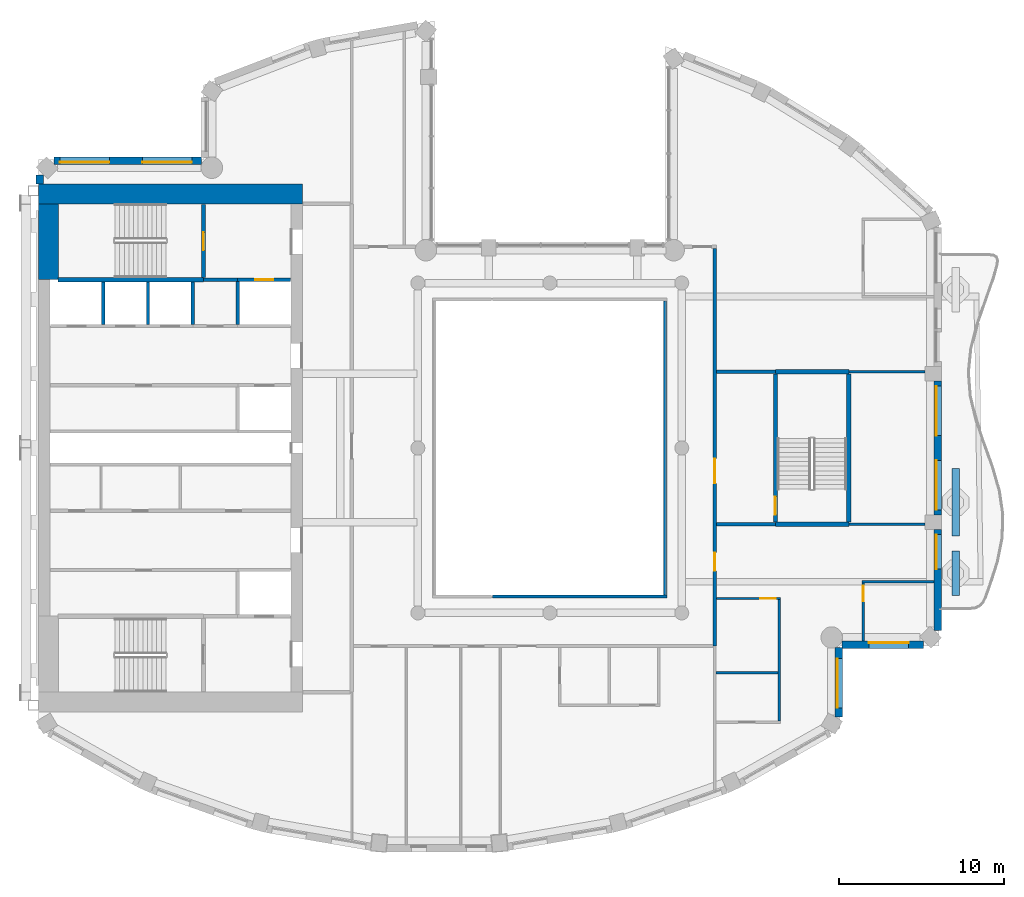
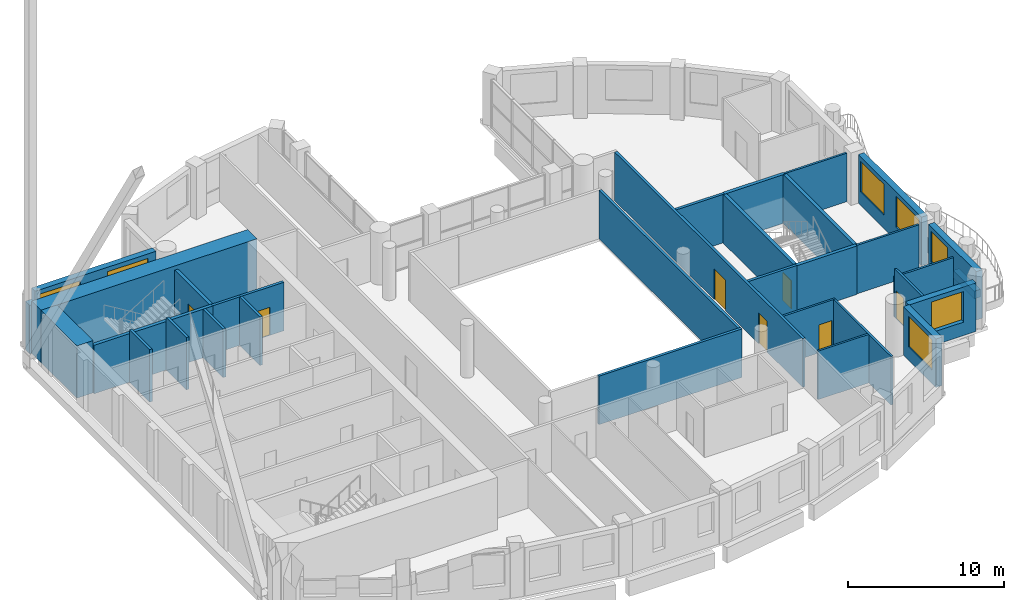
# One storey, part 7 of 18: 34 walls, 7 doors, 7 windows, 14 openings.
"""IFC4 building model written with IfcOpenShell, lengths in metres."""

from ifc_helpers import new_model, si_unit, direction, frame, frame_2d, origin, place, context, subcontext, project, spatial, rectangle, extrude, material, layer, layer_set, type_object, element, fill, save


model = new_model("IFC4")

# Units and contexts
model_context = context("Model", 3, precision=1e-05, world=origin(), true_north=direction((0.0, 1.0)))
body_context = subcontext(model_context, "Body", "Model", "MODEL_VIEW")
ifc_project = project(units=[si_unit("LENGTHUNIT", "METRE"), si_unit("AREAUNIT", "SQUARE_METRE"), si_unit("VOLUMEUNIT", "CUBIC_METRE"), si_unit("PLANEANGLEUNIT", "RADIAN"), si_unit("MASSUNIT", "GRAM", prefix="KILO")], contexts=[model_context])

# Site, building, storey
site_placement = place(None, origin())
site = spatial("IfcSite", under=ifc_project, at=site_placement, CompositionType="ELEMENT")
building_placement = place(site_placement, origin())
building = spatial("IfcBuilding", under=site, at=building_placement, Name="Cypress Arch Tower", CompositionType="ELEMENT")
storey_placement = place(building_placement, frame((0.0, 0.0, 288.5)))
storey = spatial("IfcBuildingStorey", under=building, at=storey_placement, Name="L65", CompositionType="ELEMENT", Elevation=288.5)

# Walls
ifc_material_1 = material(Name="Concrete C40/50, waterproofed", Category="concrete")
ifc_layer_1 = layer(ifc_material_1, 0.449951171875)
ifc_layer_set_1 = layer_set([ifc_layer_1], Name="Balcony planter wall PW450")
wall_type_1 = type_object("IfcWallType", Name="Balcony planter wall PW450", PredefinedType="SOLIDWALL", material=ifc_layer_set_1)
wall_1_placement = place(storey_placement, frame((25.60009765625, -8.949951171875, 0.0), z_axis=(0.0, 0.0, 1.0), x_axis=(0.0, 1.0, 0.0)))
element("IfcWall", 1, at=wall_1_placement, inside=storey, type_object=wall_type_1, Name="Balcony planter wall L65-C17.1", PredefinedType="SOLIDWALL", context=body_context, shape_type="SweptSolid", body=[
    extrude(rectangle(XDim=2.699951171875, YDim=0.449951171875, at=frame_2d((1.35009765625, 0.0))), origin(), (0.0, 0.0, 1.0), 0.60009765625),
])
wall_2_placement = place(storey_placement, frame((25.60009765625, -5.35009765625, 0.0), z_axis=(0.0, 0.0, 1.0), x_axis=(0.0, 1.0, 0.0)))
element("IfcWall", 2, at=wall_2_placement, inside=storey, type_object=wall_type_1, Name="Balcony planter wall L65-C17.2", PredefinedType="SOLIDWALL", context=body_context, shape_type="SweptSolid", body=[
    extrude(rectangle(XDim=4.10009765625, YDim=0.449951171875, at=frame_2d((2.050048828125, 0.0))), origin(), (0.0, 0.0, 1.0), 0.60009765625),
])

# Wall, openings, windows
ifc_material_2 = material(Name="Brick (red buff blend)", Category="masonry")
ifc_layer_2 = layer(ifc_material_2, 0.449951171875)
ifc_layer_set_2 = layer_set([ifc_layer_2], Name="Brick pier and spandrel wall BW450")
wall_type_2 = type_object("IfcWallType", Name="Brick pier and spandrel wall BW450", PredefinedType="SOLIDWALL", material=ifc_layer_set_2)
wall_3_placement = place(storey_placement, frame((-20.1015625, 17.425048828125, 0.0), z_axis=(0.0, 0.0, 1.0), x_axis=(-1.0, 0.0, 0.0)))
wall_3 = element("IfcWall", 3, at=wall_3_placement, inside=storey, type_object=wall_type_2, Name="Brick wall L65 C06.0", PredefinedType="SOLIDWALL", context=body_context, shape_type="SweptSolid", body=[
    extrude(rectangle(XDim=8.962158203125, YDim=0.449951171875, at=frame_2d((4.48095703125, 0.0))), origin(), (0.0, 0.0, 1.0), 3.800048828125),
])
opening_1_placement = place(wall_3_placement, frame((0.598388671875, 0.0, 1.050048828125)))
opening_1 = element("IfcOpeningElement", 4, at=opening_1_placement, cuts=wall_3, Name="Opening W300O", PredefinedType="OPENING", context=body_context, shape_type="SweptSolid", body=[
    extrude(rectangle(XDim=3.0, YDim=2.39990234375, at=frame_2d((1.5, 1.199951171875))), frame((0.0, 0.23486328125, 0.0), z_axis=(0.0, -1.0, 0.0), x_axis=(1.0, 0.0, 0.0)), (0.0, 0.0, 1.0), 0.469970703125),
])
opening_2_placement = place(wall_3_placement, frame((5.598388671875, 0.0, 1.050048828125)))
opening_2 = element("IfcOpeningElement", 5, at=opening_2_placement, cuts=wall_3, Name="Opening W300O", PredefinedType="OPENING", context=body_context, shape_type="SweptSolid", body=[
    extrude(rectangle(XDim=3.0, YDim=2.39990234375, at=frame_2d((1.5, 1.199951171875))), frame((0.0, 0.23486328125, 0.0), z_axis=(0.0, -1.0, 0.0), x_axis=(1.0, 0.0, 0.0)), (0.0, 0.0, 1.0), 0.469970703125),
])
ifc_material_3 = material(Name="Anodised aluminium, bronze finish, clear low-emissivity double glazing", Category="aluminium")
window_type_1 = type_object("IfcWindowType", Name="Window Office 3000x2400", PartitioningType="SINGLE_PANEL", PredefinedType="WINDOW", material=ifc_material_3)
window_1_placement = place(opening_1_placement, origin())
window_1 = element("IfcWindow", 6, at=window_1_placement, inside=storey, type_object=window_type_1, Name="Window L65 C06.0.1", OverallHeight=2.39990234375, OverallWidth=3.0, PartitioningType="SINGLE_PANEL", PredefinedType="WINDOW", context=body_context, shape_type="SweptSolid", body=[
    extrude(rectangle(XDim=3.0, YDim=2.39990234375, at=frame_2d((1.5, 1.199951171875))), frame((0.0, 0.135009765625, 0.0), z_axis=(0.0, -1.0, 0.0), x_axis=(1.0, 0.0, 0.0)), (0.0, 0.0, 1.0), 0.06005859375),
])
fill(opening_1, window_1)
window_2_placement = place(opening_2_placement, origin())
window_2 = element("IfcWindow", 7, at=window_2_placement, inside=storey, type_object=window_type_1, Name="Window L65 C06.0.2", OverallHeight=2.39990234375, OverallWidth=3.0, PartitioningType="SINGLE_PANEL", PredefinedType="WINDOW", context=body_context, shape_type="SweptSolid", body=[
    extrude(rectangle(XDim=3.0, YDim=2.39990234375, at=frame_2d((1.5, 1.199951171875))), frame((0.0, 0.135009765625, 0.0), z_axis=(0.0, -1.0, 0.0), x_axis=(1.0, 0.0, 0.0)), (0.0, 0.0, 1.0), 0.06005859375),
])
fill(opening_2, window_2)

# Wall
wall_4_placement = place(storey_placement, frame((-29.925048828125, 16.563720703125, 0.0), z_axis=(0.0, 0.0, 1.0), x_axis=(0.0, -1.0, 0.0)))
element("IfcWall", 8, at=wall_4_placement, inside=storey, type_object=wall_type_2, Name="Brick wall L65 C07.0", PredefinedType="SOLIDWALL", context=body_context, shape_type="SweptSolid", body=[
    extrude(rectangle(XDim=0.563720703125, YDim=0.449951171875, at=frame_2d((0.28173828125, 0.0))), origin(), (0.0, 0.0, 1.0), 3.800048828125),
])

# Wall, opening, window
wall_5_placement = place(storey_placement, frame((18.52490234375, -16.3037109375, 0.0), z_axis=(0.0, 0.0, 1.0), x_axis=(0.0, 1.0, 0.0)))
wall_5 = element("IfcWall", 9, at=wall_5_placement, inside=storey, type_object=wall_type_2, Name="Brick wall L65 C15.0", PredefinedType="SOLIDWALL", context=body_context, shape_type="SweptSolid", body=[
    extrude(rectangle(XDim=4.2021484375, YDim=0.449951171875, at=frame_2d((2.10107421875, 0.0))), origin(), (0.0, 0.0, 1.0), 3.800048828125),
])
opening_3_placement = place(wall_5_placement, frame((0.541259765625, 0.0, 1.050048828125)))
opening_3 = element("IfcOpeningElement", 10, at=opening_3_placement, cuts=wall_5, Name="Opening W300O", PredefinedType="OPENING", context=body_context, shape_type="SweptSolid", body=[
    extrude(rectangle(XDim=3.0, YDim=2.39990234375, at=frame_2d((1.5, 1.199951171875))), frame((0.0, 0.23486328125, 0.0), z_axis=(0.0, -1.0, 0.0), x_axis=(1.0, 0.0, 0.0)), (0.0, 0.0, 1.0), 0.469970703125),
])
window_3_placement = place(opening_3_placement, origin())
window_3 = element("IfcWindow", 11, at=window_3_placement, inside=storey, type_object=window_type_1, Name="Window L65 C15.0.1", OverallHeight=2.39990234375, OverallWidth=3.0, PartitioningType="SINGLE_PANEL", PredefinedType="WINDOW", context=body_context, shape_type="SweptSolid", body=[
    extrude(rectangle(XDim=3.0, YDim=2.39990234375, at=frame_2d((1.5, 1.199951171875))), frame((0.0, 0.135009765625, 0.0), z_axis=(0.0, -1.0, 0.0), x_axis=(1.0, 0.0, 0.0)), (0.0, 0.0, 1.0), 0.06005859375),
])
fill(opening_3, window_3)

wall_6_placement = place(storey_placement, frame((18.701416015625, -11.925048828125, 0.0), z_axis=(0.0, 0.0, 1.0), x_axis=(1.0, 0.0, 0.0)))
wall_6 = element("IfcWall", 12, at=wall_6_placement, inside=storey, type_object=wall_type_2, Name="Brick wall L65 C16.0", PredefinedType="SOLIDWALL", context=body_context, shape_type="SweptSolid", body=[
    extrude(rectangle(XDim=4.962158203125, YDim=0.449951171875, at=frame_2d((2.48095703125, 0.0))), origin(), (0.0, 0.0, 1.0), 3.800048828125),
])
opening_4_placement = place(wall_6_placement, frame((1.6484375, 0.0, 1.050048828125)))
opening_4 = element("IfcOpeningElement", 13, at=opening_4_placement, cuts=wall_6, Name="Opening W240O", PredefinedType="OPENING", context=body_context, shape_type="SweptSolid", body=[
    extrude(rectangle(XDim=2.39990234375, YDim=2.39990234375, at=frame_2d((1.199951171875, 1.199951171875))), frame((0.0, 0.23486328125, 0.0), z_axis=(0.0, -1.0, 0.0), x_axis=(1.0, 0.0, 0.0)), (0.0, 0.0, 1.0), 0.469970703125),
])
ifc_material_4 = material(Name="Anodised aluminium, bronze finish, clear low-emissivity double glazing", Category="aluminium")
window_type_2 = type_object("IfcWindowType", Name="Window Office 2400x2400", PartitioningType="SINGLE_PANEL", PredefinedType="WINDOW", material=ifc_material_4)
window_4_placement = place(opening_4_placement, origin())
window_4 = element("IfcWindow", 14, at=window_4_placement, inside=storey, type_object=window_type_2, Name="Window L65 C16.0.1", OverallHeight=2.39990234375, OverallWidth=2.39990234375, PartitioningType="SINGLE_PANEL", PredefinedType="WINDOW", context=body_context, shape_type="SweptSolid", body=[
    extrude(rectangle(XDim=2.39990234375, YDim=2.39990234375, at=frame_2d((1.199951171875, 1.199951171875))), frame((0.0, 0.135009765625, 0.0), z_axis=(0.0, -1.0, 0.0), x_axis=(1.0, 0.0, 0.0)), (0.0, 0.0, 1.0), 0.06005859375),
])
fill(opening_4, window_4)

wall_7_placement = place(storey_placement, frame((24.52490234375, -11.063720703125, 0.0), z_axis=(0.0, 0.0, 1.0), x_axis=(0.0, 1.0, 0.0)))
wall_7 = element("IfcWall", 15, at=wall_7_placement, inside=storey, type_object=wall_type_2, Name="Brick wall L65 C17.0", PredefinedType="SOLIDWALL", context=body_context, shape_type="SweptSolid", body=[
    extrude(rectangle(XDim=6.11376953125, YDim=0.449951171875, at=frame_2d((3.056884765625, 0.0))), origin(), (0.0, 0.0, 1.0), 3.800048828125),
])
opening_5_placement = place(wall_7_placement, frame((3.713623046875, 0.0, 1.050048828125)))
opening_5 = element("IfcOpeningElement", 16, at=opening_5_placement, cuts=wall_7, Name="Opening W210OD", PredefinedType="OPENING", context=body_context, shape_type="SweptSolid", body=[
    extrude(rectangle(XDim=2.10009765625, YDim=2.39990234375, at=frame_2d((1.050048828125, 1.199951171875))), frame((0.0, 0.23486328125, 0.0), z_axis=(0.0, -1.0, 0.0), x_axis=(1.0, 0.0, 0.0)), (0.0, 0.0, 1.0), 0.469970703125),
])
ifc_material_5 = material(Name="Anodised aluminium, bronze finish, laminated low-emissivity double glazing, large-missile impact rated", Category="aluminium")
window_type_3 = type_object("IfcWindowType", Name="Window Office 2100x2400 debris-rated", PartitioningType="SINGLE_PANEL", PredefinedType="WINDOW", material=ifc_material_5)
window_5_placement = place(opening_5_placement, origin())
window_5 = element("IfcWindow", 17, at=window_5_placement, inside=storey, type_object=window_type_3, Name="Window L65 C17.0.2", OverallHeight=2.39990234375, OverallWidth=2.10009765625, PartitioningType="SINGLE_PANEL", PredefinedType="WINDOW", context=body_context, shape_type="SweptSolid", body=[
    extrude(rectangle(XDim=2.10009765625, YDim=2.39990234375, at=frame_2d((1.050048828125, 1.199951171875))), frame((0.0, 0.135009765625, 0.0), z_axis=(0.0, -1.0, 0.0), x_axis=(1.0, 0.0, 0.0)), (0.0, 0.0, 1.0), 0.06005859375),
])
fill(opening_5, window_5)

# Wall, openings, windows
wall_8_placement = place(storey_placement, frame((24.52490234375, -4.050048828125, 0.0), z_axis=(0.0, 0.0, 1.0), x_axis=(0.0, 1.0, 0.0)))
wall_8 = element("IfcWall", 18, at=wall_8_placement, inside=storey, type_object=wall_type_2, Name="Brick wall L65 C17.1", PredefinedType="SOLIDWALL", context=body_context, shape_type="SweptSolid", body=[
    extrude(rectangle(XDim=8.10009765625, YDim=0.449951171875, at=frame_2d((4.050048828125, 0.0))), origin(), (0.0, 0.0, 1.0), 3.800048828125),
])
opening_6_placement = place(wall_8_placement, frame((0.300048828125, 0.0, 1.050048828125)))
opening_6 = element("IfcOpeningElement", 19, at=opening_6_placement, cuts=wall_8, Name="Opening W300OD", PredefinedType="OPENING", context=body_context, shape_type="SweptSolid", body=[
    extrude(rectangle(XDim=3.0, YDim=2.39990234375, at=frame_2d((1.5, 1.199951171875))), frame((0.0, 0.23486328125, 0.0), z_axis=(0.0, -1.0, 0.0), x_axis=(1.0, 0.0, 0.0)), (0.0, 0.0, 1.0), 0.469970703125),
])
opening_7_placement = place(wall_8_placement, frame((4.800048828125, 0.0, 1.050048828125)))
opening_7 = element("IfcOpeningElement", 20, at=opening_7_placement, cuts=wall_8, Name="Opening W300OD", PredefinedType="OPENING", context=body_context, shape_type="SweptSolid", body=[
    extrude(rectangle(XDim=3.0, YDim=2.39990234375, at=frame_2d((1.5, 1.199951171875))), frame((0.0, 0.23486328125, 0.0), z_axis=(0.0, -1.0, 0.0), x_axis=(1.0, 0.0, 0.0)), (0.0, 0.0, 1.0), 0.469970703125),
])
ifc_material_6 = material(Name="Anodised aluminium, bronze finish, laminated low-emissivity double glazing, large-missile impact rated", Category="aluminium")
window_type_4 = type_object("IfcWindowType", Name="Window Office 3000x2400 debris-rated", PartitioningType="SINGLE_PANEL", PredefinedType="WINDOW", material=ifc_material_6)
window_6_placement = place(opening_6_placement, origin())
window_6 = element("IfcWindow", 21, at=window_6_placement, inside=storey, type_object=window_type_4, Name="Window L65 C17.1.1", OverallHeight=2.39990234375, OverallWidth=3.0, PartitioningType="SINGLE_PANEL", PredefinedType="WINDOW", context=body_context, shape_type="SweptSolid", body=[
    extrude(rectangle(XDim=3.0, YDim=2.39990234375, at=frame_2d((1.5, 1.199951171875))), frame((0.0, 0.135009765625, 0.0), z_axis=(0.0, -1.0, 0.0), x_axis=(1.0, 0.0, 0.0)), (0.0, 0.0, 1.0), 0.06005859375),
])
fill(opening_6, window_6)
window_7_placement = place(opening_7_placement, origin())
window_7 = element("IfcWindow", 22, at=window_7_placement, inside=storey, type_object=window_type_4, Name="Window L65 C17.1.2", OverallHeight=2.39990234375, OverallWidth=3.0, PartitioningType="SINGLE_PANEL", PredefinedType="WINDOW", context=body_context, shape_type="SweptSolid", body=[
    extrude(rectangle(XDim=3.0, YDim=2.39990234375, at=frame_2d((1.5, 1.199951171875))), frame((0.0, 0.135009765625, 0.0), z_axis=(0.0, -1.0, 0.0), x_axis=(1.0, 0.0, 0.0)), (0.0, 0.0, 1.0), 0.06005859375),
])
fill(opening_7, window_7)

# Walls
ifc_material_7 = material(Name="Concrete C60/75", Category="concrete")
ifc_layer_3 = layer(ifc_material_7, 1.199951171875)
ifc_layer_set_3 = layer_set([ifc_layer_3], Name="Core wall CW1200 C60/75")
wall_type_3 = type_object("IfcWallType", Name="Core wall CW1200 C60/75", PredefinedType="SHEAR", material=ifc_layer_set_3)
wall_9_placement = place(storey_placement, frame((-30.0, 15.39990234375, 0.0), z_axis=(0.0, 0.0, 1.0), x_axis=(1.0, 0.0, 0.0)))
element("IfcWall", 23, at=wall_9_placement, inside=storey, type_object=wall_type_3, Name="Core wall", PredefinedType="SHEAR", context=body_context, shape_type="SweptSolid", body=[
    extrude(rectangle(XDim=16.0, YDim=1.199951171875, at=frame_2d((8.0, 0.0))), origin(), (0.0, 0.0, 1.0), 4.10009765625),
])
wall_10_placement = place(storey_placement, frame((-29.39990234375, 10.199951171875, 0.0), z_axis=(0.0, 0.0, 1.0), x_axis=(0.0, 1.0, 0.0)))
element("IfcWall", 24, at=wall_10_placement, inside=storey, type_object=wall_type_3, Name="Core wall", PredefinedType="SHEAR", context=body_context, shape_type="SweptSolid", body=[
    extrude(rectangle(XDim=4.60009765625, YDim=1.199951171875, at=frame_2d((2.300048828125, 0.0))), origin(), (0.0, 0.0, 1.0), 4.10009765625),
])
ifc_material_8 = material(Name="Concrete blockwork, plastered, rated", Category="masonry")
ifc_layer_4 = layer(ifc_material_8, 0.199951171875)
ifc_layer_set_4 = layer_set([ifc_layer_4], Name="Corridor wall FW200")
wall_type_4 = type_object("IfcWallType", Name="Corridor wall FW200", PredefinedType="PARTITIONING", material=ifc_layer_set_4)
wall_11_placement = place(storey_placement, frame((-20.0, 10.199951171875, 0.0), z_axis=(0.0, 0.0, 1.0), x_axis=(1.0, 0.0, 0.0)))
element("IfcWall", 25, at=wall_11_placement, inside=storey, type_object=wall_type_4, Name="Corridor wall", PredefinedType="PARTITIONING", context=body_context, shape_type="SweptSolid", body=[
    extrude(rectangle(XDim=2.080078125, YDim=0.199951171875, at=frame_2d((1.0400390625, 0.0))), origin(), (0.0, 0.0, 1.0), 3.800048828125),
])
wall_12_placement = place(storey_placement, frame((-2.47998046875, -9.0, 0.0), z_axis=(0.0, 0.0, 1.0), x_axis=(1.0, 0.0, 0.0)))
element("IfcWall", 26, at=wall_12_placement, inside=storey, type_object=wall_type_4, Name="Corridor wall", PredefinedType="PARTITIONING", context=body_context, shape_type="SweptSolid", body=[
    extrude(rectangle(XDim=10.580078125, YDim=0.199951171875, at=frame_2d((5.2900390625, 0.0))), origin(), (0.0, 0.0, 1.0), 3.800048828125),
])
wall_13_placement = place(storey_placement, frame((8.0, -8.89990234375, 0.0), z_axis=(0.0, 0.0, 1.0), x_axis=(0.0, 1.0, 0.0)))
element("IfcWall", 27, at=wall_13_placement, inside=storey, type_object=wall_type_4, Name="Corridor wall", PredefinedType="PARTITIONING", context=body_context, shape_type="SweptSolid", body=[
    extrude(rectangle(XDim=17.7998046875, YDim=0.199951171875, at=frame_2d((8.89990234375, 0.0))), origin(), (0.0, 0.0, 1.0), 3.800048828125),
])

# Wall, openings, doors
wall_14_placement = place(storey_placement, frame((11.0, -12.0, 0.0), z_axis=(0.0, 0.0, 1.0), x_axis=(0.0, 1.0, 0.0)))
wall_14 = element("IfcWall", 28, at=wall_14_placement, inside=storey, type_object=wall_type_4, Name="Corridor wall", PredefinedType="PARTITIONING", context=body_context, shape_type="SweptSolid", body=[
    extrude(rectangle(XDim=24.10009765625, YDim=0.199951171875, at=frame_2d((12.050048828125, 0.0))), origin(), (0.0, 0.0, 1.0), 3.800048828125),
])
opening_8_placement = place(wall_14_placement, frame((9.85009765625, 0.0, 0.0)))
opening_8 = element("IfcOpeningElement", 29, at=opening_8_placement, cuts=wall_14, Name="Opening D07", PredefinedType="OPENING", context=body_context, shape_type="SweptSolid", body=[
    extrude(rectangle(XDim=1.5, YDim=2.39990234375, at=frame_2d((0.75, 1.199951171875))), frame((0.0, 0.10986328125, 0.0), z_axis=(0.0, -1.0, 0.0), x_axis=(1.0, 0.0, 0.0)), (0.0, 0.0, 1.0), 0.219970703125),
])
opening_9_placement = place(wall_14_placement, frame((4.550048828125, 0.0, 0.0)))
opening_9 = element("IfcOpeningElement", 30, at=opening_9_placement, cuts=wall_14, Name="Opening D01", PredefinedType="OPENING", context=body_context, shape_type="SweptSolid", body=[
    extrude(rectangle(XDim=1.10009765625, YDim=2.39990234375, at=frame_2d((0.550048828125, 1.199951171875))), frame((0.0, 0.10986328125, 0.0), z_axis=(0.0, -1.0, 0.0), x_axis=(1.0, 0.0, 0.0)), (0.0, 0.0, 1.0), 0.219970703125),
])
ifc_material_9 = material(Name="Steel framed glazed door, fire resisting", Category="steel")
door_type_1 = type_object("IfcDoorType", Name="Lobby door D07 1500x2400", OperationType="DOUBLE_DOOR_SINGLE_SWING", PredefinedType="DOOR", material=ifc_material_9)
door_1_placement = place(opening_8_placement, origin())
door_1 = element("IfcDoor", 31, at=door_1_placement, inside=storey, type_object=door_type_1, Name="Lobby door", OperationType="DOUBLE_DOOR_SINGLE_SWING", OverallHeight=2.39990234375, OverallWidth=1.5, PredefinedType="DOOR", context=body_context, shape_type="SweptSolid", body=[
    extrude(rectangle(XDim=1.5, YDim=2.39990234375, at=frame_2d((0.75, 1.199951171875))), frame((0.0, 0.02490234375, 0.0), z_axis=(0.0, -1.0, 0.0), x_axis=(1.0, 0.0, 0.0)), (0.0, 0.0, 1.0), 0.050048828125),
])
fill(opening_8, door_1)
ifc_material_10 = material(Name="Timber flush door, fire resisting, self-closing", Category="wood")
door_type_2 = type_object("IfcDoorType", Name="Unit entrance door D01 1100x2400", OperationType="SINGLE_SWING_LEFT", PredefinedType="DOOR", material=ifc_material_10)
door_2_placement = place(opening_9_placement, origin())
door_2 = element("IfcDoor", 32, at=door_2_placement, inside=storey, type_object=door_type_2, Name="Unit entrance door", OperationType="SINGLE_SWING_RIGHT", OverallHeight=2.39990234375, OverallWidth=1.10009765625, PredefinedType="DOOR", context=body_context, shape_type="SweptSolid", body=[
    extrude(rectangle(XDim=1.10009765625, YDim=2.39990234375, at=frame_2d((0.550048828125, 1.199951171875))), frame((0.0, 0.02490234375, 0.0), z_axis=(0.0, -1.0, 0.0), x_axis=(1.0, 0.0, 0.0)), (0.0, 0.0, 1.0), 0.050048828125),
])
fill(opening_9, door_2)

# Walls
for number, where, z_axis, x_axis, name in (
    (33, (11.10009765625, -4.625, 0.0), (0.0, 0.0, 1.0), (1.0, 0.0, 0.0), "Corridor wall"),
    (34, (11.10009765625, 4.625, 0.0), (0.0, 0.0, 1.0), (1.0, 0.0, 0.0), "Corridor wall"),
):
    element("IfcWall", number, at=place(storey_placement, frame(where, z_axis=z_axis, x_axis=x_axis)), inside=storey, type_object=wall_type_4, Name=name, PredefinedType="PARTITIONING", context=body_context, shape_type="SweptSolid", body=[
        extrude(rectangle(XDim=3.574951171875, YDim=0.199951171875, at=frame_2d((1.78759765625, 0.0))), origin(), (0.0, 0.0, 1.0), 3.800048828125),
    ])
ifc_material_11 = material(Name="Blockwork, plastered both sides", Category="masonry")
ifc_layer_5 = layer(ifc_material_11, 0.14990234375)
ifc_layer_set_5 = layer_set([ifc_layer_5], Name="Partition PW150")
wall_type_5 = type_object("IfcWallType", Name="Partition PW150", PredefinedType="PARTITIONING", material=ifc_layer_set_5)
wall_15_placement = place(storey_placement, frame((11.074951171875, -13.625, 0.0), z_axis=(0.0, 0.0, 1.0), x_axis=(1.0, 0.0, 0.0)))
element("IfcWall", 35, at=wall_15_placement, inside=storey, type_object=wall_type_5, Name="Partition", PredefinedType="PARTITIONING", context=body_context, shape_type="SweptSolid", body=[
    extrude(rectangle(XDim=3.75, YDim=0.14990234375, at=frame_2d((1.875, 0.0))), origin(), (0.0, 0.0, 1.0), 3.800048828125),
])

# Wall, opening, door
wall_16_placement = place(storey_placement, frame((11.10009765625, -9.125, 0.0), z_axis=(0.0, 0.0, 1.0), x_axis=(1.0, 0.0, 0.0)))
wall_16 = element("IfcWall", 36, at=wall_16_placement, inside=storey, type_object=wall_type_5, Name="Partition", PredefinedType="PARTITIONING", context=body_context, shape_type="SweptSolid", body=[
    extrude(rectangle(XDim=3.875, YDim=0.14990234375, at=frame_2d((1.9375, 0.0))), origin(), (0.0, 0.0, 1.0), 3.800048828125),
])
opening_10_placement = place(wall_16_placement, frame((2.64990234375, 0.0, 0.0)))
opening_10 = element("IfcOpeningElement", 37, at=opening_10_placement, cuts=wall_16, Name="Opening D12", PredefinedType="OPENING", context=body_context, shape_type="SweptSolid", body=[
    extrude(rectangle(XDim=0.949951171875, YDim=2.199951171875, at=frame_2d((0.47509765625, 1.10009765625))), frame((0.0, 0.0849609375, 0.0), z_axis=(0.0, -1.0, 0.0), x_axis=(1.0, 0.0, 0.0)), (0.0, 0.0, 1.0), 0.169921875),
])
ifc_material_12 = material(Name="Timber flush door", Category="wood")
door_type_3 = type_object("IfcDoorType", Name="Room door D12 950x2200", OperationType="SINGLE_SWING_LEFT", PredefinedType="DOOR", material=ifc_material_12)
door_3_placement = place(opening_10_placement, origin())
door_3 = element("IfcDoor", 38, at=door_3_placement, inside=storey, type_object=door_type_3, Name="Room door", OperationType="SINGLE_SWING_LEFT", OverallHeight=2.199951171875, OverallWidth=0.949951171875, PredefinedType="DOOR", context=body_context, shape_type="SweptSolid", body=[
    extrude(rectangle(XDim=0.949951171875, YDim=2.199951171875, at=frame_2d((0.47509765625, 1.10009765625))), frame((0.0, 0.02490234375, 0.0), z_axis=(0.0, -1.0, 0.0), x_axis=(1.0, 0.0, 0.0)), (0.0, 0.0, 1.0), 0.050048828125),
])
fill(opening_10, door_3)

# Walls
wall_17_placement = place(storey_placement, frame((14.89990234375, -16.550048828125, 0.0), z_axis=(0.0, 0.0, 1.0), x_axis=(0.0, 1.0, 0.0)))
element("IfcWall", 39, at=wall_17_placement, inside=storey, type_object=wall_type_5, Name="Partition", PredefinedType="PARTITIONING", context=body_context, shape_type="SweptSolid", body=[
    extrude(rectangle(XDim=7.35009765625, YDim=0.14990234375, at=frame_2d((3.675048828125, 0.0))), origin(), (0.0, 0.0, 1.0), 3.800048828125),
])
for number, where, z_axis, x_axis, name in (
    (40, (19.14501953125, -4.625, 0.0), (0.0, 0.0, 1.0), (1.0, 0.0, 0.0), "Partition"),
    (41, (19.14501953125, 4.625, 0.0), (0.0, 0.0, 1.0), (1.0, 0.0, 0.0), "Partition"),
):
    element("IfcWall", number, at=place(storey_placement, frame(where, z_axis=z_axis, x_axis=x_axis)), inside=storey, type_object=wall_type_5, Name=name, PredefinedType="PARTITIONING", context=body_context, shape_type="SweptSolid", body=[
        extrude(rectangle(XDim=4.60498046875, YDim=0.14990234375, at=frame_2d((2.302490234375, 0.0))), origin(), (0.0, 0.0, 1.0), 3.800048828125),
    ])

# Wall, opening, door
wall_18_placement = place(storey_placement, frame((20.0, -11.699951171875, 0.0), z_axis=(0.0, 0.0, 1.0), x_axis=(0.0, 1.0, 0.0)))
wall_18 = element("IfcWall", 42, at=wall_18_placement, inside=storey, type_object=wall_type_5, Name="Partition", PredefinedType="PARTITIONING", context=body_context, shape_type="SweptSolid", body=[
    extrude(rectangle(XDim=3.52490234375, YDim=0.14990234375, at=frame_2d((1.762451171875, 0.0))), origin(), (0.0, 0.0, 1.0), 3.800048828125),
])
opening_11_placement = place(wall_18_placement, frame((2.39990234375, 0.0, 0.0)))
opening_11 = element("IfcOpeningElement", 43, at=opening_11_placement, cuts=wall_18, Name="Opening D12", PredefinedType="OPENING", context=body_context, shape_type="SweptSolid", body=[
    extrude(rectangle(XDim=0.949951171875, YDim=2.199951171875, at=frame_2d((0.47509765625, 1.10009765625))), frame((0.0, 0.0849609375, 0.0), z_axis=(0.0, -1.0, 0.0), x_axis=(1.0, 0.0, 0.0)), (0.0, 0.0, 1.0), 0.169921875),
])
door_4_placement = place(opening_11_placement, origin())
door_4 = element("IfcDoor", 44, at=door_4_placement, inside=storey, type_object=door_type_3, Name="Room door", OperationType="SINGLE_SWING_RIGHT", OverallHeight=2.199951171875, OverallWidth=0.949951171875, PredefinedType="DOOR", context=body_context, shape_type="SweptSolid", body=[
    extrude(rectangle(XDim=0.949951171875, YDim=2.199951171875, at=frame_2d((0.47509765625, 1.10009765625))), frame((0.0, 0.02490234375, 0.0), z_axis=(0.0, -1.0, 0.0), x_axis=(1.0, 0.0, 0.0)), (0.0, 0.0, 1.0), 0.050048828125),
])
fill(opening_11, door_4)

# Walls
wall_19_placement = place(storey_placement, frame((19.925048828125, -8.10009765625, 0.0), z_axis=(0.0, 0.0, 1.0), x_axis=(1.0, 0.0, 0.0)))
element("IfcWall", 45, at=wall_19_placement, inside=storey, type_object=wall_type_5, Name="Partition", PredefinedType="PARTITIONING", context=body_context, shape_type="SweptSolid", body=[
    extrude(rectangle(XDim=4.375, YDim=0.14990234375, at=frame_2d((2.1875, 0.0))), origin(), (0.0, 0.0, 1.0), 3.14990234375),
])
ifc_material_13 = material(Name="Concrete C50/60", Category="concrete")
ifc_layer_6 = layer(ifc_material_13, 0.199951171875)
ifc_layer_set_6 = layer_set([ifc_layer_6], Name="Shaft wall SH200")
wall_type_6 = type_object("IfcWallType", Name="Shaft wall SH200", PredefinedType="SHEAR", material=ifc_layer_set_6)
for number, where, z_axis, x_axis, name in (
    (46, (-26.080078125, 7.5, 0.0), (0.0, 0.0, 1.0), (0.0, 1.0, 0.0), "Shaft wall"),
    (47, (-23.360107421875, 7.5, 0.0), (0.0, 0.0, 1.0), (0.0, 1.0, 0.0), "Shaft wall"),
):
    element("IfcWall", number, at=place(storey_placement, frame(where, z_axis=z_axis, x_axis=x_axis)), inside=storey, type_object=wall_type_6, Name=name, PredefinedType="SHEAR", context=body_context, shape_type="SweptSolid", body=[
        extrude(rectangle(XDim=2.574951171875, YDim=0.199951171875, at=frame_2d((1.28759765625, 0.0))), origin(), (0.0, 0.0, 1.0), 4.10009765625),
    ])
wall_20_placement = place(storey_placement, frame((-20.639892578125, 7.5, 0.0), z_axis=(0.0, 0.0, 1.0), x_axis=(0.0, 1.0, 0.0)))
element("IfcWall", 48, at=wall_20_placement, inside=storey, type_object=wall_type_6, Name="Shaft wall", PredefinedType="SHEAR", context=body_context, shape_type="SweptSolid", body=[
    extrude(rectangle(XDim=2.574951171875, YDim=0.199951171875, at=frame_2d((1.28759765625, 0.0))), origin(), (0.0, 0.0, 1.0), 3.800048828125),
])
wall_21_placement = place(storey_placement, frame((-17.919921875, 7.5, 0.0), z_axis=(0.0, 0.0, 1.0), x_axis=(0.0, 1.0, 0.0)))
element("IfcWall", 49, at=wall_21_placement, inside=storey, type_object=wall_type_6, Name="Shaft wall", PredefinedType="SHEAR", context=body_context, shape_type="SweptSolid", body=[
    extrude(rectangle(XDim=2.60009765625, YDim=0.199951171875, at=frame_2d((1.300048828125, 0.0))), origin(), (0.0, 0.0, 1.0), 3.800048828125),
])

# Wall, opening, door
wall_22_placement = place(storey_placement, frame((-17.919921875, 10.199951171875, 0.0), z_axis=(0.0, 0.0, 1.0), x_axis=(1.0, 0.0, 0.0)))
wall_22 = element("IfcWall", 50, at=wall_22_placement, inside=storey, type_object=wall_type_6, Name="Shaft wall", PredefinedType="SHEAR", context=body_context, shape_type="SweptSolid", body=[
    extrude(rectangle(XDim=3.18994140625, YDim=0.199951171875, at=frame_2d((1.594970703125, 0.0))), origin(), (0.0, 0.0, 1.0), 3.800048828125),
])
opening_12_placement = place(wall_22_placement, frame((1.050048828125, 0.0, 0.0)))
opening_12 = element("IfcOpeningElement", 51, at=opening_12_placement, cuts=wall_22, Name="Opening LD-FL2", PredefinedType="OPENING", context=body_context, shape_type="SweptSolid", body=[
    extrude(rectangle(XDim=1.10009765625, YDim=2.199951171875, at=frame_2d((0.550048828125, 1.10009765625))), frame((0.0, 0.10986328125, 0.0), z_axis=(0.0, -1.0, 0.0), x_axis=(1.0, 0.0, 0.0)), (0.0, 0.0, 1.0), 0.219970703125),
])
ifc_material_14 = material(Name="Stainless steel centre-opening landing door, rated", Category="steel")
door_type_4 = type_object("IfcDoorType", Name="Lift landing door LD 1100x2200", OperationType="DOUBLE_DOOR_SLIDING", PredefinedType="DOOR", material=ifc_material_14)
door_5_placement = place(opening_12_placement, origin())
door_5 = element("IfcDoor", 52, at=door_5_placement, inside=storey, type_object=door_type_4, Name="Lift landing doors FL2", OperationType="DOUBLE_DOOR_SLIDING", OverallHeight=2.199951171875, OverallWidth=1.10009765625, PredefinedType="DOOR", context=body_context, shape_type="SweptSolid", body=[
    extrude(rectangle(XDim=1.10009765625, YDim=2.199951171875, at=frame_2d((0.550048828125, 1.10009765625))), frame((0.0, 0.02490234375, 0.0), z_axis=(0.0, -1.0, 0.0), x_axis=(1.0, 0.0, 0.0)), (0.0, 0.0, 1.0), 0.050048828125),
])
fill(opening_12, door_5)

# Wall
ifc_material_15 = material(Name="Concrete C50/60", Category="concrete")
ifc_layer_7 = layer(ifc_material_15, 0.25)
ifc_layer_set_7 = layer_set([ifc_layer_7], Name="Stair enclosure wall SW250")
wall_type_7 = type_object("IfcWallType", Name="Stair enclosure wall SW250", PredefinedType="SHEAR", material=ifc_layer_set_7)
wall_23_placement = place(storey_placement, frame((-28.81005859375, 10.199951171875, 0.0), z_axis=(0.0, 0.0, 1.0), x_axis=(1.0, 0.0, 0.0)))
element("IfcWall", 53, at=wall_23_placement, inside=storey, type_object=wall_type_7, Name="Stair enclosure wall", PredefinedType="SHEAR", context=body_context, shape_type="SweptSolid", body=[
    extrude(rectangle(XDim=8.81005859375, YDim=0.25, at=frame_2d((4.405029296875, 0.0))), origin(), (0.0, 0.0, 1.0), 3.800048828125),
])

# Wall, opening, door
wall_24_placement = place(storey_placement, frame((-20.0, 10.324951171875, 0.0), z_axis=(0.0, 0.0, 1.0), x_axis=(0.0, 1.0, 0.0)))
wall_24 = element("IfcWall", 54, at=wall_24_placement, inside=storey, type_object=wall_type_7, Name="Stair enclosure wall", PredefinedType="SHEAR", context=body_context, shape_type="SweptSolid", body=[
    extrude(rectangle(XDim=4.445068359375, YDim=0.25, at=frame_2d((2.22265625, 0.0))), origin(), (0.0, 0.0, 1.0), 3.800048828125),
])
opening_13_placement = place(wall_24_placement, frame((1.64990234375, 0.0, 0.0)))
opening_13 = element("IfcOpeningElement", 55, at=opening_13_placement, cuts=wall_24, Name="Opening D06", PredefinedType="OPENING", context=body_context, shape_type="SweptSolid", body=[
    extrude(rectangle(XDim=1.10009765625, YDim=2.199951171875, at=frame_2d((0.550048828125, 1.10009765625))), frame((0.0, 0.135009765625, 0.0), z_axis=(0.0, -1.0, 0.0), x_axis=(1.0, 0.0, 0.0)), (0.0, 0.0, 1.0), 0.27001953125),
])
ifc_material_16 = material(Name="Steel door, fire resisting, panic bar", Category="steel")
door_type_5 = type_object("IfcDoorType", Name="Stair door D06 1100x2200", OperationType="SINGLE_SWING_LEFT", PredefinedType="DOOR", material=ifc_material_16)
door_6_placement = place(opening_13_placement, origin())
door_6 = element("IfcDoor", 56, at=door_6_placement, inside=storey, type_object=door_type_5, Name="Stair door", OperationType="SINGLE_SWING_LEFT", OverallHeight=2.199951171875, OverallWidth=1.10009765625, PredefinedType="DOOR", context=body_context, shape_type="SweptSolid", body=[
    extrude(rectangle(XDim=1.10009765625, YDim=2.199951171875, at=frame_2d((0.550048828125, 1.10009765625))), frame((0.0, 0.02490234375, 0.0), z_axis=(0.0, -1.0, 0.0), x_axis=(1.0, 0.0, 0.0)), (0.0, 0.0, 1.0), 0.050048828125),
])
fill(opening_13, door_6)

wall_25_placement = place(storey_placement, frame((14.675048828125, -4.5, 0.0), z_axis=(0.0, 0.0, 1.0), x_axis=(0.0, 1.0, 0.0)))
wall_25 = element("IfcWall", 57, at=wall_25_placement, inside=storey, type_object=wall_type_7, Name="Stair enclosure wall", PredefinedType="SHEAR", context=body_context, shape_type="SweptSolid", body=[
    extrude(rectangle(XDim=9.0, YDim=0.25, at=frame_2d((4.5, 0.0))), origin(), (0.0, 0.0, 1.0), 3.800048828125),
])
opening_14_placement = place(wall_25_placement, frame((0.449951171875, 0.0, 0.0)))
opening_14 = element("IfcOpeningElement", 58, at=opening_14_placement, cuts=wall_25, Name="Opening D06", PredefinedType="OPENING", context=body_context, shape_type="SweptSolid", body=[
    extrude(rectangle(XDim=1.10009765625, YDim=2.199951171875, at=frame_2d((0.550048828125, 1.10009765625))), frame((0.0, 0.135009765625, 0.0), z_axis=(0.0, -1.0, 0.0), x_axis=(1.0, 0.0, 0.0)), (0.0, 0.0, 1.0), 0.27001953125),
])
door_7_placement = place(opening_14_placement, origin())
door_7 = element("IfcDoor", 59, at=door_7_placement, inside=storey, type_object=door_type_5, Name="Stair door", OperationType="SINGLE_SWING_RIGHT", OverallHeight=2.199951171875, OverallWidth=1.10009765625, PredefinedType="DOOR", context=body_context, shape_type="SweptSolid", body=[
    extrude(rectangle(XDim=1.10009765625, YDim=2.199951171875, at=frame_2d((0.550048828125, 1.10009765625))), frame((0.0, 0.02490234375, 0.0), z_axis=(0.0, -1.0, 0.0), x_axis=(1.0, 0.0, 0.0)), (0.0, 0.0, 1.0), 0.050048828125),
])
fill(opening_14, door_7)

# Walls
for number, where, z_axis, x_axis, name in (
    (60, (14.675048828125, -4.625, 0.0), (0.0, 0.0, 1.0), (1.0, 0.0, 0.0), "Stair enclosure wall"),
    (61, (14.675048828125, 4.625, 0.0), (0.0, 0.0, 1.0), (1.0, 0.0, 0.0), "Stair enclosure wall"),
):
    element("IfcWall", number, at=place(storey_placement, frame(where, z_axis=z_axis, x_axis=x_axis)), inside=storey, type_object=wall_type_7, Name=name, PredefinedType="SHEAR", context=body_context, shape_type="SweptSolid", body=[
        extrude(rectangle(XDim=4.449951171875, YDim=0.25, at=frame_2d((2.22509765625, 0.0))), origin(), (0.0, 0.0, 1.0), 3.800048828125),
    ])
wall_26_placement = place(storey_placement, frame((19.125, -4.5, 0.0), z_axis=(0.0, 0.0, 1.0), x_axis=(0.0, 1.0, 0.0)))
element("IfcWall", 62, at=wall_26_placement, inside=storey, type_object=wall_type_7, Name="Stair enclosure wall", PredefinedType="SHEAR", context=body_context, shape_type="SweptSolid", body=[
    extrude(rectangle(XDim=9.0, YDim=0.25, at=frame_2d((4.5, 0.0))), origin(), (0.0, 0.0, 1.0), 3.800048828125),
])

save(model, "model.ifc")
